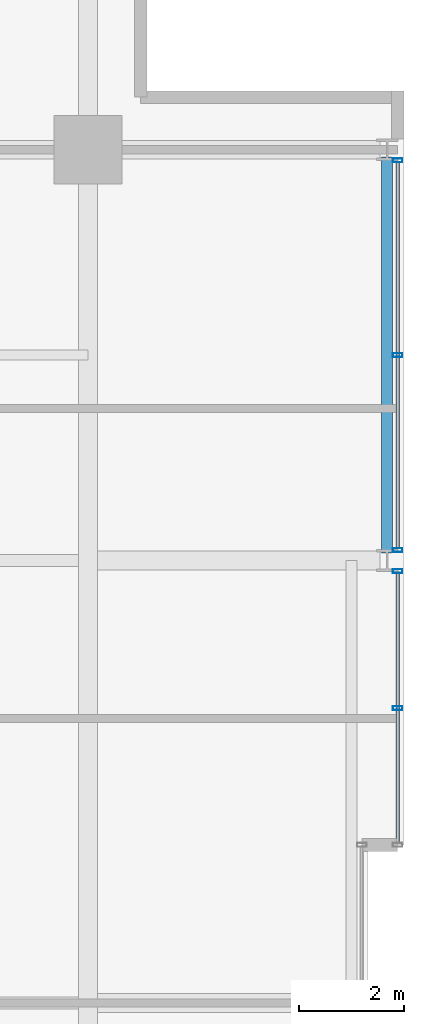
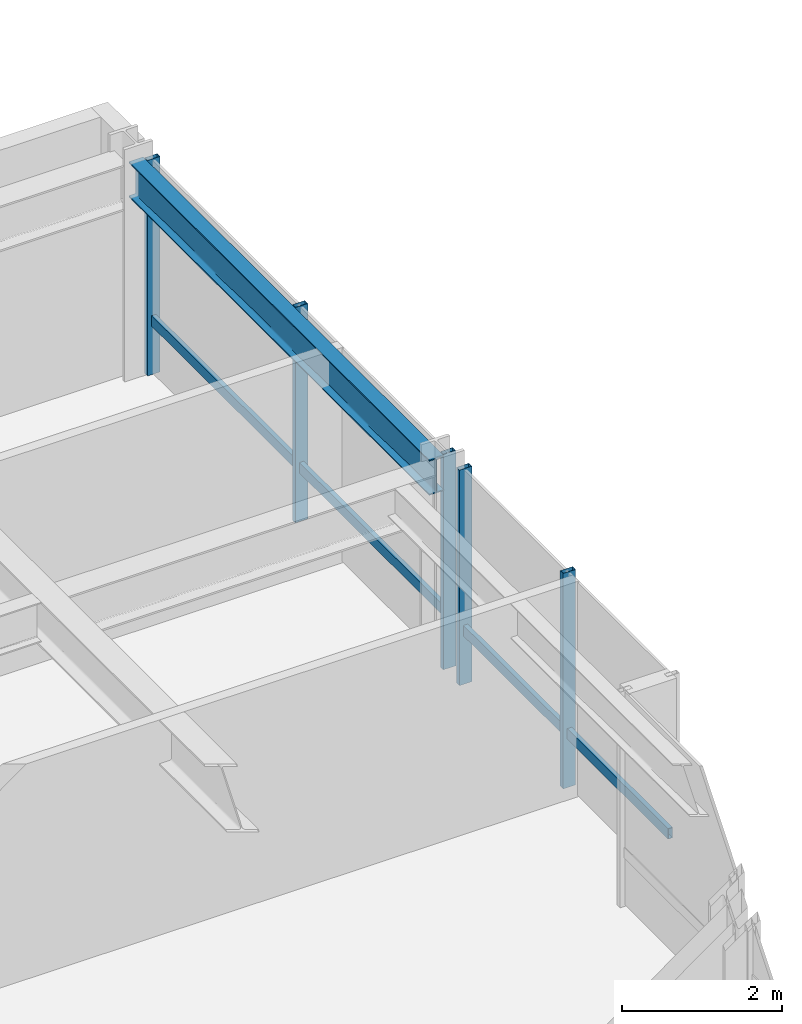
# One storey, part 23 of 32: 7 members, 1 beam, 2 elements without a shape of their own.
"""IFC4 building model written with IfcOpenShell, lengths in metres."""

import ifcopenshell
import ifcopenshell.guid

model = None  # the IFC model being written
_history = None  # IfcOwnerHistory: only IFC2X3 demands one
_inside = {}  # id of a spatial element -> (the spatial element, [elements in it])
_under = {}  # id of a project, library or spatial element -> (it, [spatial elements below it])
_declared = {}  # id of a project -> (the project, [libraries it declares])
_typed = {}  # id of a type object -> (the type object, [elements of that type])
_made_of = {}  # id of a material, layer set ... -> (it, [elements and type objects made of it])


def new_model(schema):
    """Start an empty IFC model of exactly this schema.

    Asked for "IFC4X3", IfcOpenShell would pick the latest addendum, in which some entities
    have other attributes; the version numbers below select the first issue.
    IFC2X3 requires an IfcOwnerHistory on every rooted entity: one is made here for all.
    """
    global model, _history
    if schema == "IFC4X3":
        model = ifcopenshell.file(schema_version=(4, 3, 0, 0))
    else:
        model = ifcopenshell.file(schema=schema)
    _inside.clear()
    _under.clear()
    _declared.clear()
    _typed.clear()
    _made_of.clear()
    _history = None
    if model.schema == "IFC2X3":
        org = make("IfcOrganization", Name="unknown")
        user = make(
            "IfcPersonAndOrganization",
            ThePerson=make("IfcPerson", FamilyName="unknown"),
            TheOrganization=org,
        )
        app = make(
            "IfcApplication",
            ApplicationDeveloper=org,
            Version="unknown",
            ApplicationFullName="unknown",
            ApplicationIdentifier="unknown",
        )
        _history = make(
            "IfcOwnerHistory",
            OwningUser=user,
            OwningApplication=app,
            ChangeAction="ADDED",
            CreationDate=0,
        )
    return model


def make(cls, **values):
    """One entity of the class cls with the attributes given. An attribute that is None is left unset."""
    return model.create_entity(
        cls, **{name: value for name, value in values.items() if value is not None}
    )


def rooted(cls, **values):
    """An entity with a GlobalId (a new one), such as an element, a storey or a relation."""
    return make(cls, GlobalId=ifcopenshell.guid.new(), OwnerHistory=_history, **values)


def si_unit(unit_type, name, prefix=None):
    """IfcSIUnit, for example si_unit("LENGTHUNIT", "METRE", prefix="MILLI")."""
    return make("IfcSIUnit", UnitType=unit_type, Prefix=prefix, Name=name)


def assignment(units):
    """IfcUnitAssignment: the units of a project."""
    return None if units is None else make("IfcUnitAssignment", Units=units)


def point(xyz):
    """IfcCartesianPoint."""
    return None if xyz is None else make("IfcCartesianPoint", Coordinates=xyz)


def direction(xyz):
    """IfcDirection."""
    return None if xyz is None else make("IfcDirection", DirectionRatios=xyz)


def frame(location, z_axis=None, x_axis=None):
    """IfcAxis2Placement3D, a coordinate frame: its origin and axes. An axis left out is left unset."""
    return make(
        "IfcAxis2Placement3D",
        Location=point(location),
        Axis=direction(z_axis),
        RefDirection=direction(x_axis),
    )


def frame_2d(location, x_axis=None):
    """IfcAxis2Placement2D, a coordinate frame in the plane: its origin and x axis."""
    return make(
        "IfcAxis2Placement2D", Location=point(location), RefDirection=direction(x_axis)
    )


def origin():
    """The frame at (0, 0, 0) with its axes left unset."""
    return frame((0.0, 0.0, 0.0))


def origin_2d():
    """The frame at (0, 0) in the plane with its x axis left unset."""
    return frame_2d((0.0, 0.0))


def place(relative_to, where):
    """IfcLocalPlacement: puts the frame where relative to a parent placement (None: the world)."""
    return make(
        "IfcLocalPlacement", PlacementRelTo=relative_to, RelativePlacement=where
    )


def context(
    kind, dimensions, precision=None, world=None, true_north=None, identifier=None
):
    """IfcGeometricRepresentationContext, for example the 3D "Model" context."""
    return make(
        "IfcGeometricRepresentationContext",
        ContextIdentifier=identifier,
        ContextType=kind,
        CoordinateSpaceDimension=dimensions,
        Precision=precision,
        WorldCoordinateSystem=world,
        TrueNorth=true_north,
    )


def subcontext(parent, identifier, kind, view, scale=None):
    """IfcGeometricRepresentationSubContext, for example "Body" below "Model"."""
    return make(
        "IfcGeometricRepresentationSubContext",
        ContextIdentifier=identifier,
        ContextType=kind,
        ParentContext=parent,
        TargetScale=scale,
        TargetView=view,
    )


def project(units=None, contexts=None):
    """IfcProject with its units and contexts."""
    return rooted(
        "IfcProject",
        Name="project",
        RepresentationContexts=contexts,
        UnitsInContext=assignment(units),
    )


def spatial(cls, under=None, at=None, **own):
    """A site, building, storey or space (cls), placed at a placement, below another one or the project."""
    s = rooted(cls, ObjectPlacement=at, **own)
    if under is not None:
        _under.setdefault(under.id(), (under, []))[1].append(s)
    return s


def profile(cls, at=None, kind="AREA", **sizes):
    """A parametric profile (cls). Its sizes go by their IFC names, for example OverallWidth=200.0."""
    return make(cls, ProfileType=kind, Position=at, **sizes)


def hollow_rectangle(**sizes):
    """IfcRectangleHollowProfileDef."""
    return profile("IfcRectangleHollowProfileDef", **sizes)


def i_section(**sizes):
    """IfcIShapeProfileDef."""
    return profile("IfcIShapeProfileDef", **sizes)


def extrude(swept, where, along, depth):
    """IfcExtrudedAreaSolid: the profile swept, set in the frame where, extruded along a direction by depth."""
    return make(
        "IfcExtrudedAreaSolid",
        SweptArea=swept,
        Position=where,
        ExtrudedDirection=direction(along),
        Depth=depth,
    )


def shape(context_of_items, identifier, shape_type, items):
    """IfcShapeRepresentation: the items that make up one representation, for example the "Body"."""
    return make(
        "IfcShapeRepresentation",
        ContextOfItems=context_of_items,
        RepresentationIdentifier=identifier,
        RepresentationType=shape_type,
        Items=items,
    )


def material(Name=None, Category=None):
    """IfcMaterial."""
    return make("IfcMaterial", Name=Name, Category=Category)


def layer(
    of_material, thickness, ventilated=None, Name=None, Category=None, Priority=None
):
    """IfcMaterialLayer: one layer of a wall or slab, of a material (None: an air gap)."""
    return make(
        "IfcMaterialLayer",
        Material=of_material,
        LayerThickness=thickness,
        IsVentilated=ventilated,
        Name=Name,
        Category=Category,
        Priority=Priority,
    )


def layer_set(layers, Name=None):
    """IfcMaterialLayerSet."""
    return make("IfcMaterialLayerSet", MaterialLayers=layers, LayerSetName=Name)


def material_profile(
    of_material, cross_section, Name=None, Category=None, Priority=None
):
    """IfcMaterialProfile: a cross section and its material."""
    return make(
        "IfcMaterialProfile",
        Name=Name,
        Material=of_material,
        Profile=cross_section,
        Priority=Priority,
        Category=Category,
    )


def profile_set(profiles, Name=None, composite=None):
    """IfcMaterialProfileSet."""
    return make(
        "IfcMaterialProfileSet",
        Name=Name,
        MaterialProfiles=profiles,
        CompositeProfile=composite,
    )


def made_of(thing, what):
    """Note that an element or type object is made of a material, layer set ...; save() writes the relation."""
    if what is not None:
        _made_of.setdefault(what.id(), (what, []))[1].append(thing)
    return thing


def type_object(cls, material=None, **own):
    """A type object (cls), such as IfcWallType, which elements share."""
    return made_of(rooted(cls, **own), material)


def element(
    cls,
    number,
    at=None,
    inside=None,
    cuts=None,
    type_object=None,
    material=None,
    context=None,
    identifier="Body",
    shape_type=None,
    held_by="IfcProductDefinitionShape",
    body=None,
    shapes=None,
    **own,
):
    """One element of the class cls, such as IfcWall. Its Tag is "e" and its number.

    at: its placement. inside: the storey or other place that contains it. cuts: it is an
    opening in that element (IfcRelVoidsElement). A single representation is given by context,
    identifier, shape_type and body (its items); several are given by shapes. held_by: the class
    of the entity that holds the representations. save() writes the other relations.
    """
    e = rooted(cls, Tag="e%d" % number, ObjectPlacement=at, **own)
    if body is not None:
        shapes = [shape(context, identifier, shape_type, body)]
    if shapes is not None:
        e.Representation = make(held_by, Representations=shapes)
    if inside is not None:
        _inside.setdefault(inside.id(), (inside, []))[1].append(e)
    if cuts is not None:
        rooted(
            "IfcRelVoidsElement", RelatingBuildingElement=cuts, RelatedOpeningElement=e
        )
    if type_object is not None:
        _typed.setdefault(type_object.id(), (type_object, []))[1].append(e)
    return made_of(e, material)


def aggregate(whole, parts):
    """IfcRelAggregates: a whole, such as a stair, and the parts it consists of."""
    return rooted("IfcRelAggregates", RelatingObject=whole, RelatedObjects=parts)


def save(model, path):
    """Write the relations noted so far, then the file.

    IfcRelAggregates (storeys below a building ...), IfcRelContainedInSpatialStructure (elements
    in a storey), IfcRelDefinesByType, IfcRelAssociatesMaterial and IfcRelDeclares: one each for
    every whole, place, type object, material and project.
    """
    for whole, parts in _under.values():
        aggregate(whole, parts)
    for where, things in _inside.values():
        rooted(
            "IfcRelContainedInSpatialStructure",
            RelatedElements=things,
            RelatingStructure=where,
        )
    for kind, things in _typed.values():
        rooted("IfcRelDefinesByType", RelatedObjects=things, RelatingType=kind)
    for what, things in _made_of.values():
        rooted("IfcRelAssociatesMaterial", RelatedObjects=things, RelatingMaterial=what)
    for by, libraries in _declared.values():
        rooted("IfcRelDeclares", RelatingContext=by, RelatedDefinitions=libraries)
    model.write(path)


model = new_model("IFC4")

# Units and contexts
model_context = context("Model", 3, precision=1e-05, world=origin(), true_north=direction((0.0, 1.0)))
body_context = subcontext(model_context, "Body", "Model", "MODEL_VIEW")
ifc_project = project(units=[si_unit("LENGTHUNIT", "METRE"), si_unit("AREAUNIT", "SQUARE_METRE"), si_unit("VOLUMEUNIT", "CUBIC_METRE"), si_unit("PLANEANGLEUNIT", "RADIAN"), si_unit("MASSUNIT", "GRAM", prefix="KILO")], contexts=[model_context])

# Site, building, storey
site_placement = place(None, origin())
site = spatial("IfcSite", under=ifc_project, at=site_placement, CompositionType="ELEMENT")
building_placement = place(site_placement, origin())
building = spatial("IfcBuilding", under=site, at=building_placement, Name="Drelvath Grand Hotel", CompositionType="ELEMENT")
storey_placement = place(building_placement, frame((0.0, 0.0, 157.5)))
storey = spatial("IfcBuildingStorey", under=building, at=storey_placement, Name="L40", CompositionType="ELEMENT", Elevation=157.5)

# Curtain wall, member
ifc_material_1 = material(Name="Brushed Pale-Silver Anodised Aluminium Frame", Category="aluminium")
ifc_layer = layer(ifc_material_1, 0.199951171875)
ifc_layer_set = layer_set([ifc_layer], Name="Brushed Pale-Silver Anodised Aluminium Frame")
curtain_wall_type = type_object("IfcCurtainWallType", Name="Stick Curtain Wall CW-04 Brushed Silver Upper-Mid", PredefinedType="NOTDEFINED", material=ifc_layer_set)
curtain_wall_1_placement = place(storey_placement, origin())
curtain_wall_1 = element("IfcCurtainWall", 1, at=curtain_wall_1_placement, inside=storey, type_object=curtain_wall_type, Name="L40 CW-04 Curtain Wall CW04-L40-EN1", PredefinedType="NOTDEFINED")
ifc_material_profile_1 = material_profile(ifc_material_1, hollow_rectangle(XDim=0.06494140625, YDim=0.159912109375, WallThickness=0.00390625, at=origin_2d()), Name="HSS160X65X4")
ifc_profile_set_1 = profile_set([ifc_material_profile_1], Name="Brushed Pale-Silver Anodised Aluminium Frame")
member_type_1 = type_object("IfcMemberType", Name="Curtain Wall Horizontal Transom CW-04 HSS160X65X4", PredefinedType="USERDEFINED", material=ifc_profile_set_1)
member_1_placement = place(storey_placement, frame((22.080078125, 35.159912109375, 0.822509765625), z_axis=(0.0, -1.0, 0.0), x_axis=(1.0, 0.0, 0.0)))
member_1 = element("IfcMember", 2, at=member_1_placement, type_object=member_type_1, Name="CW04-L40-EN1 Sill Transom", ObjectType="TRANSOM", PredefinedType="USERDEFINED", context=body_context, shape_type="SweptSolid", body=[
    extrude(hollow_rectangle(XDim=0.06494140625, YDim=0.159912109375, WallThickness=0.00390625, at=origin_2d()), origin(), (0.0, 0.0, 1.0), 5.119873046875),
])

curtain_wall_2_placement = place(storey_placement, origin())
curtain_wall_2 = element("IfcCurtainWall", 3, at=curtain_wall_2_placement, inside=storey, type_object=curtain_wall_type, Name="L40 CW-04 Curtain Wall CW04-L40-EN2", PredefinedType="NOTDEFINED")
member_2_placement = place(storey_placement, frame((22.080078125, 42.9599609375, 0.822509765625), z_axis=(0.0, -1.0, 0.0), x_axis=(1.0, 0.0, 0.0)))
member_2 = element("IfcMember", 4, at=member_2_placement, type_object=member_type_1, Name="CW04-L40-EN2 Sill Transom", ObjectType="TRANSOM", PredefinedType="USERDEFINED", context=body_context, shape_type="SweptSolid", body=[
    extrude(hollow_rectangle(XDim=0.06494140625, YDim=0.159912109375, WallThickness=0.00390625, at=origin_2d()), origin(), (0.0, 0.0, 1.0), 7.320068359375),
])

# Member
ifc_material_profile_2 = material_profile(ifc_material_1, hollow_rectangle(XDim=0.074951171875, YDim=0.179931640625, WallThickness=0.0048828125, at=origin_2d()), Name="HSS180X75X5")
ifc_profile_set_2 = profile_set([ifc_material_profile_2], Name="Brushed Pale-Silver Anodised Aluminium Frame")
member_type_2 = type_object("IfcMemberType", Name="Curtain Wall Vertical Mullion CW-04 HSS180X75X5", PredefinedType="MULLION", material=ifc_profile_set_2)
member_3_placement = place(storey_placement, frame((22.080078125, 35.199951171875, 0.0), z_axis=(0.0, 0.0, 1.0), x_axis=(0.0, 1.0, 0.0)))
member_3 = element("IfcMember", 5, at=member_3_placement, type_object=member_type_2, Name="CW04-L40-EN1 Mullion 1", PredefinedType="MULLION", context=body_context, shape_type="SweptSolid", body=[
    extrude(hollow_rectangle(XDim=0.074951171875, YDim=0.179931640625, WallThickness=0.0048828125, at=origin_2d()), origin(), (0.0, 0.0, 1.0), 3.2900390625),
])

member_4_placement = place(storey_placement, frame((22.080078125, 32.60009765625, 0.0), z_axis=(0.0, 0.0, 1.0), x_axis=(0.0, 1.0, 0.0)))
member_4 = element("IfcMember", 6, at=member_4_placement, type_object=member_type_2, Name="CW04-L40-EN1 Mullion 2", PredefinedType="MULLION", context=body_context, shape_type="SweptSolid", body=[
    extrude(hollow_rectangle(XDim=0.074951171875, YDim=0.179931640625, WallThickness=0.0048828125, at=origin_2d()), origin(), (0.0, 0.0, 1.0), 3.2900390625),
])

aggregate(curtain_wall_1, [member_3, member_4, member_1])

member_5_placement = place(storey_placement, frame((22.080078125, 43.0, 0.0), z_axis=(0.0, 0.0, 1.0), x_axis=(0.0, 1.0, 0.0)))
member_5 = element("IfcMember", 7, at=member_5_placement, type_object=member_type_2, Name="CW04-L40-EN2 Mullion 1", PredefinedType="MULLION", context=body_context, shape_type="SweptSolid", body=[
    extrude(hollow_rectangle(XDim=0.074951171875, YDim=0.179931640625, WallThickness=0.0048828125, at=origin_2d()), origin(), (0.0, 0.0, 1.0), 3.2900390625),
])

member_6_placement = place(storey_placement, frame((22.080078125, 39.300048828125, 0.0), z_axis=(0.0, 0.0, 1.0), x_axis=(0.0, 1.0, 0.0)))
member_6 = element("IfcMember", 8, at=member_6_placement, type_object=member_type_2, Name="CW04-L40-EN2 Mullion 2", PredefinedType="MULLION", context=body_context, shape_type="SweptSolid", body=[
    extrude(hollow_rectangle(XDim=0.074951171875, YDim=0.179931640625, WallThickness=0.0048828125, at=origin_2d()), origin(), (0.0, 0.0, 1.0), 3.2900390625),
])

member_7_placement = place(storey_placement, frame((22.080078125, 35.60009765625, 0.0), z_axis=(0.0, 0.0, 1.0), x_axis=(0.0, 1.0, 0.0)))
member_7 = element("IfcMember", 9, at=member_7_placement, type_object=member_type_2, Name="CW04-L40-EN2 Mullion 3", PredefinedType="MULLION", context=body_context, shape_type="SweptSolid", body=[
    extrude(hollow_rectangle(XDim=0.074951171875, YDim=0.179931640625, WallThickness=0.0048828125, at=origin_2d()), origin(), (0.0, 0.0, 1.0), 3.2900390625),
])

aggregate(curtain_wall_2, [member_5, member_6, member_7, member_2])

# Beam
ifc_material_2 = material(Name="Steel ASTM A992 Gr 50", Category="steel")
ifc_material_profile_3 = material_profile(ifc_material_2, i_section(OverallWidth=0.210205078125, OverallDepth=0.53662109375, WebThickness=0.010986328125, FlangeThickness=0.017333984375, FilletRadius=0.01806640625, at=origin_2d()), Name="W21X68")
ifc_profile_set_3 = profile_set([ifc_material_profile_3], Name="Steel ASTM A992 Gr 50")
beam_type = type_object("IfcBeamType", Name="Perimeter Spandrel Beam W21X68", PredefinedType="SPANDREL", material=ifc_profile_set_3)
beam_placement = place(storey_placement, frame((21.8798828125, 35.5400390625, 3.021484375), z_axis=(0.0, 1.0, 0.0), x_axis=(-1.0, 0.0, 0.0)))
element("IfcBeam", 10, at=beam_placement, inside=storey, type_object=beam_type, Name="L40 Spandrel East N", PredefinedType="SPANDREL", context=body_context, shape_type="SweptSolid", body=[
    extrude(i_section(OverallWidth=0.210205078125, OverallDepth=0.53662109375, WebThickness=0.010986328125, FlangeThickness=0.017333984375, FilletRadius=0.01806640625, at=origin_2d()), origin(), (0.0, 0.0, 1.0), 7.52001953125),
])

save(model, "model.ifc")
